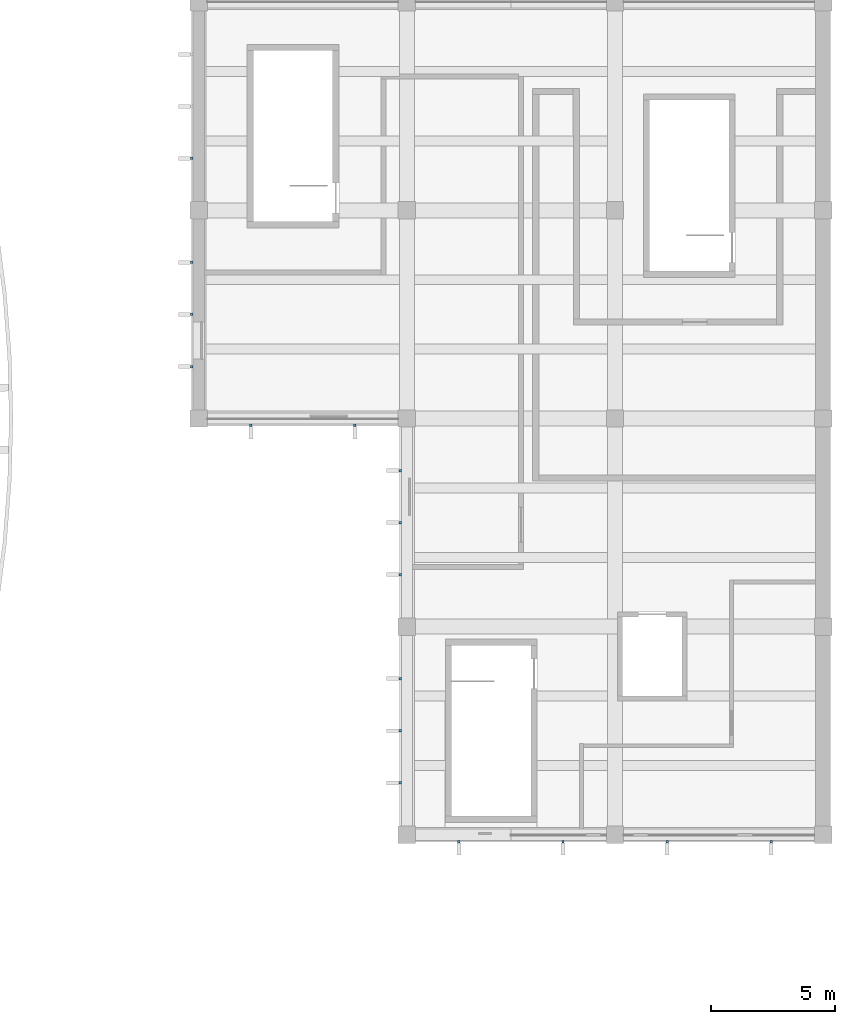
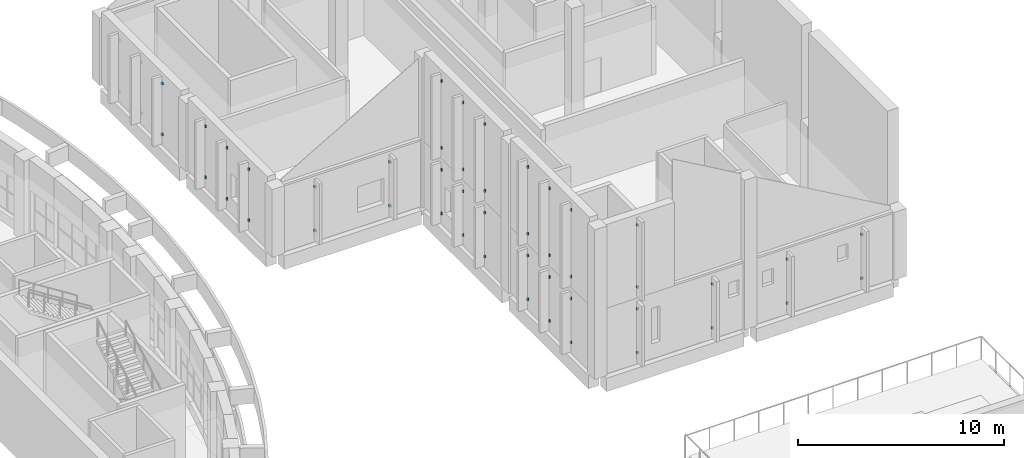
# One storey, part 55 of 79: 46 discrete accessories.
"""IFC4 building model written with IfcOpenShell, lengths in metres."""

from ifc_helpers import new_model, si_unit, direction, frame, origin, origin_2d, place, context, subcontext, project, spatial, rectangle, extrude, material, layer, layer_set, type_object, element, save


model = new_model("IFC4")

# Units and contexts
model_context = context("Model", 3, precision=1e-05, world=origin(), true_north=direction((0.0, 1.0)))
body_context = subcontext(model_context, "Body", "Model", "MODEL_VIEW")
ifc_project = project(units=[si_unit("LENGTHUNIT", "METRE"), si_unit("AREAUNIT", "SQUARE_METRE"), si_unit("VOLUMEUNIT", "CUBIC_METRE"), si_unit("PLANEANGLEUNIT", "RADIAN"), si_unit("MASSUNIT", "GRAM", prefix="KILO")], contexts=[model_context])

# Site, building, storey
site_placement = place(None, origin())
site = spatial("IfcSite", under=ifc_project, at=site_placement, CompositionType="ELEMENT")
building_placement = place(site_placement, origin())
building = spatial("IfcBuilding", under=site, at=building_placement, Name="Larchfold Concert Hall", CompositionType="ELEMENT")
storey_placement = place(building_placement, frame((0.0, 0.0, 14.39990234375)))
storey = spatial("IfcBuildingStorey", under=building, at=storey_placement, Name="L03", CompositionType="ELEMENT", Elevation=14.39990234375)

# Discrete accessories
ifc_material = material(Name="Steel S355 galvanised bracket", Category="steel")
ifc_layer = layer(ifc_material, 0.10009765625)
ifc_layer_set = layer_set([ifc_layer], Name="Steel S355 galvanised bracket")
discrete_accessory_type = type_object("IfcDiscreteAccessoryType", Name="Fin support bracket", PredefinedType="BRACKET", material=ifc_layer_set)
for number, where, z_axis, x_axis, name in (
    (1, (75.925048828125, 95.10009765625, 0.6298828125), (0.0, 0.0, 1.0), (-1.0, 0.0, 0.0), "Fin bracket FN-L03-026-1"),
    (2, (75.925048828125, 95.10009765625, 3.65478515625), (0.0, 0.0, 1.0), (-1.0, 0.0, 0.0), "Fin bracket FN-L03-026-2"),
    (3, (75.925048828125, 86.699951171875, 0.6298828125), (0.0, 0.0, 1.0), (-1.0, 0.0, 0.0), "Fin bracket FN-L03-029-1"),
    (4, (75.925048828125, 86.699951171875, 3.65478515625), (0.0, 0.0, 1.0), (-1.0, 0.0, 0.0), "Fin bracket FN-L03-029-2"),
    (5, (75.925048828125, 88.800048828125, 0.6298828125), (0.0, 0.0, 1.0), (-1.0, 0.0, 0.0), "Fin bracket FN-L03-030-1"),
    (6, (75.925048828125, 88.800048828125, 3.65478515625), (0.0, 0.0, 1.0), (-1.0, 0.0, 0.0), "Fin bracket FN-L03-030-2"),
    (7, (75.925048828125, 90.89990234375, 0.6298828125), (0.0, 0.0, 1.0), (-1.0, 0.0, 0.0), "Fin bracket FN-L03-031-1"),
    (8, (75.925048828125, 90.89990234375, 3.65478515625), (0.0, 0.0, 1.0), (-1.0, 0.0, 0.0), "Fin bracket FN-L03-031-2"),
    (9, (78.300048828125, 84.3251953125, 0.6298828125), (0.0, 0.0, 1.0), (0.0, -1.0, 0.0), "Fin bracket FN-L03-032-1"),
    (10, (78.300048828125, 84.3251953125, 3.22998046875), (0.0, 0.0, 1.0), (0.0, -1.0, 0.0), "Fin bracket FN-L03-032-2"),
    (11, (82.5, 84.3251953125, 0.6298828125), (0.0, 0.0, 1.0), (0.0, -1.0, 0.0), "Fin bracket FN-L03-033-1"),
    (12, (82.5, 84.3251953125, 3.22998046875), (0.0, 0.0, 1.0), (0.0, -1.0, 0.0), "Fin bracket FN-L03-033-2"),
    (13, (84.3251953125, 78.300048828125, 0.6298828125), (0.0, 0.0, 1.0), (-1.0, 0.0, 0.0), "Fin bracket FN-L03-034-1"),
    (14, (84.3251953125, 78.300048828125, 3.22998046875), (0.0, 0.0, 1.0), (-1.0, 0.0, 0.0), "Fin bracket FN-L03-034-2"),
    (15, (84.3251953125, 80.39990234375, 0.6298828125), (0.0, 0.0, 1.0), (-1.0, 0.0, 0.0), "Fin bracket FN-L03-035-1"),
    (16, (84.3251953125, 80.39990234375, 3.22998046875), (0.0, 0.0, 1.0), (-1.0, 0.0, 0.0), "Fin bracket FN-L03-035-2"),
    (17, (84.3251953125, 82.5, 0.6298828125), (0.0, 0.0, 1.0), (-1.0, 0.0, 0.0), "Fin bracket FN-L03-036-1"),
    (18, (84.3251953125, 82.5, 3.22998046875), (0.0, 0.0, 1.0), (-1.0, 0.0, 0.0), "Fin bracket FN-L03-036-2"),
    (19, (84.3251953125, 69.89990234375, 0.6298828125), (0.0, 0.0, 1.0), (-1.0, 0.0, 0.0), "Fin bracket FN-L03-037-1"),
    (20, (84.3251953125, 69.89990234375, 3.22998046875), (0.0, 0.0, 1.0), (-1.0, 0.0, 0.0), "Fin bracket FN-L03-037-2"),
    (21, (84.3251953125, 72.0, 0.6298828125), (0.0, 0.0, 1.0), (-1.0, 0.0, 0.0), "Fin bracket FN-L03-038-1"),
    (22, (84.3251953125, 72.0, 3.22998046875), (0.0, 0.0, 1.0), (-1.0, 0.0, 0.0), "Fin bracket FN-L03-038-2"),
    (23, (84.3251953125, 74.10009765625, 0.6298828125), (0.0, 0.0, 1.0), (-1.0, 0.0, 0.0), "Fin bracket FN-L03-039-1"),
    (24, (84.3251953125, 74.10009765625, 3.22998046875), (0.0, 0.0, 1.0), (-1.0, 0.0, 0.0), "Fin bracket FN-L03-039-2"),
    (25, (86.699951171875, 67.525146484375, 0.6298828125), (0.0, 0.0, 1.0), (0.0, -1.0, 0.0), "Fin bracket FN-L03-040-1"),
    (26, (86.699951171875, 67.525146484375, 3.22998046875), (0.0, 0.0, 1.0), (0.0, -1.0, 0.0), "Fin bracket FN-L03-040-2"),
    (27, (90.89990234375, 67.525146484375, 0.6298828125), (0.0, 0.0, 1.0), (0.0, -1.0, 0.0), "Fin bracket FN-L03-041-1"),
    (28, (90.89990234375, 67.525146484375, 3.22998046875), (0.0, 0.0, 1.0), (0.0, -1.0, 0.0), "Fin bracket FN-L03-041-2"),
    (29, (95.10009765625, 67.525146484375, 0.6298828125), (0.0, 0.0, 1.0), (0.0, -1.0, 0.0), "Fin bracket FN-L03-042-1"),
    (30, (95.10009765625, 67.525146484375, 3.22998046875), (0.0, 0.0, 1.0), (0.0, -1.0, 0.0), "Fin bracket FN-L03-042-2"),
    (31, (99.300048828125, 67.525146484375, 0.6298828125), (0.0, 0.0, 1.0), (0.0, -1.0, 0.0), "Fin bracket FN-L03-043-1"),
    (32, (99.300048828125, 67.525146484375, 3.22998046875), (0.0, 0.0, 1.0), (0.0, -1.0, 0.0), "Fin bracket FN-L03-043-2"),
    (33, (86.699951171875, 67.525146484375, 4.5302734375), (0.0, 0.0, 1.0), (0.0, -1.0, 0.0), "Fin bracket FN-L03-057-1"),
    (34, (86.699951171875, 67.525146484375, 8.1943359375), (0.0, 0.0, 1.0), (0.0, -1.0, 0.0), "Fin bracket FN-L03-057-2"),
    (35, (84.3251953125, 69.89990234375, 4.5302734375), (0.0, 0.0, 1.0), (-1.0, 0.0, 0.0), "Fin bracket FN-L03-058-1"),
    (36, (84.3251953125, 69.89990234375, 8.494140625), (0.0, 0.0, 1.0), (-1.0, 0.0, 0.0), "Fin bracket FN-L03-058-2"),
    (37, (84.3251953125, 72.0, 4.5302734375), (0.0, 0.0, 1.0), (-1.0, 0.0, 0.0), "Fin bracket FN-L03-059-1"),
    (38, (84.3251953125, 72.0, 8.494140625), (0.0, 0.0, 1.0), (-1.0, 0.0, 0.0), "Fin bracket FN-L03-059-2"),
    (39, (84.3251953125, 74.10009765625, 4.5302734375), (0.0, 0.0, 1.0), (-1.0, 0.0, 0.0), "Fin bracket FN-L03-060-1"),
    (40, (84.3251953125, 74.10009765625, 8.494140625), (0.0, 0.0, 1.0), (-1.0, 0.0, 0.0), "Fin bracket FN-L03-060-2"),
    (41, (84.3251953125, 78.300048828125, 4.5302734375), (0.0, 0.0, 1.0), (-1.0, 0.0, 0.0), "Fin bracket FN-L03-061-1"),
    (42, (84.3251953125, 78.300048828125, 8.494140625), (0.0, 0.0, 1.0), (-1.0, 0.0, 0.0), "Fin bracket FN-L03-061-2"),
    (43, (84.3251953125, 80.39990234375, 4.5302734375), (0.0, 0.0, 1.0), (-1.0, 0.0, 0.0), "Fin bracket FN-L03-062-1"),
    (44, (84.3251953125, 80.39990234375, 8.494140625), (0.0, 0.0, 1.0), (-1.0, 0.0, 0.0), "Fin bracket FN-L03-062-2"),
    (45, (84.3251953125, 82.5, 4.5302734375), (0.0, 0.0, 1.0), (-1.0, 0.0, 0.0), "Fin bracket FN-L03-063-1"),
    (46, (84.3251953125, 82.5, 8.494140625), (0.0, 0.0, 1.0), (-1.0, 0.0, 0.0), "Fin bracket FN-L03-063-2"),
):
    element("IfcDiscreteAccessory", number, at=place(storey_placement, frame(where, z_axis=z_axis, x_axis=x_axis)), inside=storey, type_object=discrete_accessory_type, Name=name, PredefinedType="BRACKET", context=body_context, shape_type="SweptSolid", body=[
        extrude(rectangle(XDim=0.10009765625, YDim=0.10009765625, at=origin_2d()), origin(), (0.0, 0.0, 1.0), 0.139892578125),
    ])

save(model, "model.ifc")
